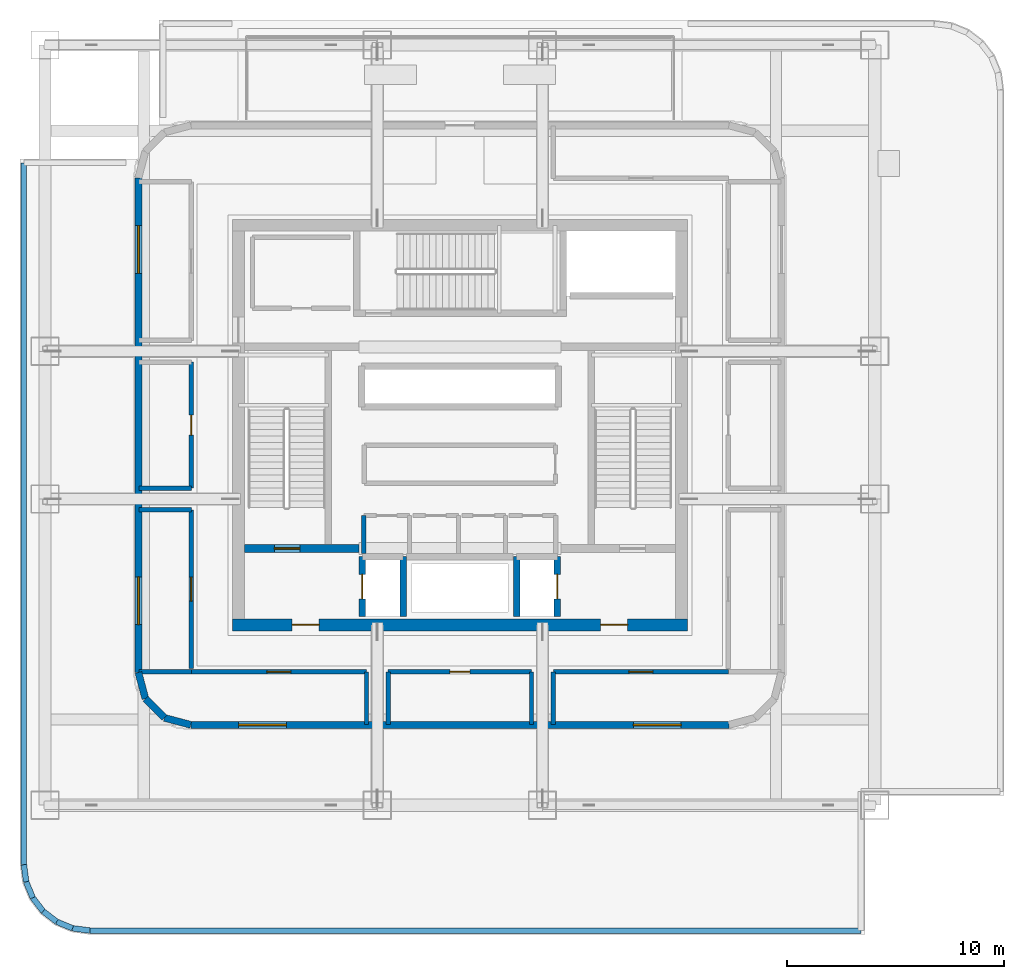
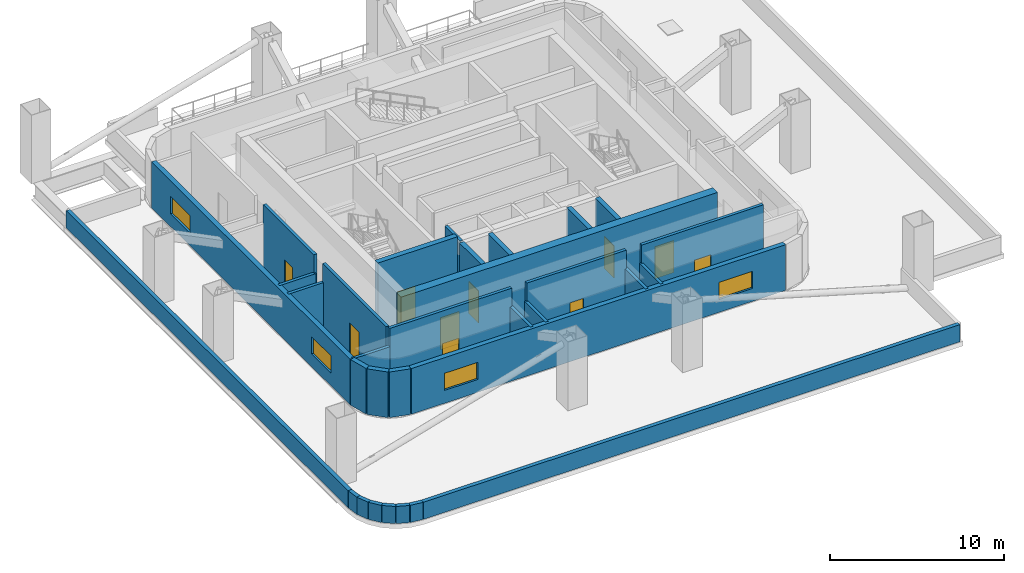
# One storey, part 5 of 11: 32 walls, 10 doors, 4 windows, 14 openings.
"""IFC4 building model written with IfcOpenShell, lengths in metres."""

from ifc_helpers import new_model, si_unit, direction, frame, frame_2d, origin, place, context, subcontext, project, spatial, rectangle, extrude, material, layer, layer_set, type_object, element, fill, save


model = new_model("IFC4")

# Units and contexts
model_context = context("Model", 3, precision=1e-05, world=origin(), true_north=direction((0.0, 1.0)))
body_context = subcontext(model_context, "Body", "Model", "MODEL_VIEW")
ifc_project = project(units=[si_unit("LENGTHUNIT", "METRE"), si_unit("AREAUNIT", "SQUARE_METRE"), si_unit("VOLUMEUNIT", "CUBIC_METRE"), si_unit("PLANEANGLEUNIT", "RADIAN"), si_unit("MASSUNIT", "GRAM", prefix="KILO")], contexts=[model_context])

# Site, building, storey
site_placement = place(None, origin())
site = spatial("IfcSite", under=ifc_project, at=site_placement, CompositionType="ELEMENT")
building_placement = place(site_placement, origin())
building = spatial("IfcBuilding", under=site, at=building_placement, Name="Punatoya Terracotta Tower", CompositionType="ELEMENT")
storey_placement = place(building_placement, frame((0.0, 0.0, 237.0)))
storey = spatial("IfcBuildingStorey", under=building, at=storey_placement, Name="L56", CompositionType="ELEMENT", Elevation=237.0)

# Wall, openings, doors
ifc_material_1 = material(Name="Concrete C50/60", Category="concrete")
ifc_layer_1 = layer(ifc_material_1, 0.550048828125)
ifc_layer_set_1 = layer_set([ifc_layer_1], Name="Concrete C50/60")
wall_type_1 = type_object("IfcWallType", Name="WL-COR-550", PredefinedType="SHEAR", material=ifc_layer_set_1)
wall_1_placement = place(storey_placement, frame((10.47509765625, -9.199951171875, 0.0), z_axis=(0.0, 0.0, 1.0), x_axis=(-1.0, 0.0, 0.0)))
wall_1 = element("IfcWall", 1, at=wall_1_placement, inside=storey, type_object=wall_type_1, Name="L56 Core Shear Wall S", PredefinedType="SHEAR", context=body_context, shape_type="SweptSolid", body=[
    extrude(rectangle(XDim=20.9501953125, YDim=0.550048828125, at=frame_2d((10.47509765625, 0.0))), origin(), (0.0, 0.0, 1.0), 4.800048828125),
])
opening_1_placement = place(wall_1_placement, frame((2.75, 0.0, 0.0)))
opening_1 = element("IfcOpeningElement", 2, at=opening_1_placement, cuts=wall_1, Name="Opening FD-L1", PredefinedType="OPENING", context=body_context, shape_type="SweptSolid", body=[
    extrude(rectangle(XDim=1.25, YDim=2.25, at=frame_2d((0.625, 1.125))), frame((0.0, 0.284912109375, 0.0), z_axis=(0.0, -1.0, 0.0), x_axis=(1.0, 0.0, 0.0)), (0.0, 0.0, 1.0), 0.570068359375),
])
opening_2_placement = place(wall_1_placement, frame((16.949951171875, 0.0, 0.0)))
opening_2 = element("IfcOpeningElement", 3, at=opening_2_placement, cuts=wall_1, Name="Opening FD-L1", PredefinedType="OPENING", context=body_context, shape_type="SweptSolid", body=[
    extrude(rectangle(XDim=1.25, YDim=2.25, at=frame_2d((0.625, 1.125))), frame((0.0, 0.284912109375, 0.0), z_axis=(0.0, -1.0, 0.0), x_axis=(1.0, 0.0, 0.0)), (0.0, 0.0, 1.0), 0.570068359375),
])
ifc_material_2 = material(Name="Galvanised Steel Smokeproof Fire Door", Category="steel")
door_type_1 = type_object("IfcDoorType", Name="DR-FFL-1250", OperationType="NOTDEFINED", PredefinedType="DOOR", material=ifc_material_2)
door_1_placement = place(opening_1_placement, origin())
door_1 = element("IfcDoor", 4, at=door_1_placement, inside=storey, type_object=door_type_1, Name="L56 East Firefighting Lobby Corridor Fire Door", OperationType="SINGLE_SWING_LEFT", OverallHeight=2.25, OverallWidth=1.25, PredefinedType="DOOR", context=body_context, shape_type="SweptSolid", body=[
    extrude(rectangle(XDim=1.25, YDim=2.25, at=frame_2d((0.625, 1.125))), frame((0.0, 0.02490234375, 0.0), z_axis=(0.0, -1.0, 0.0), x_axis=(1.0, 0.0, 0.0)), (0.0, 0.0, 1.0), 0.050048828125),
])
fill(opening_1, door_1)
door_2_placement = place(opening_2_placement, origin())
door_2 = element("IfcDoor", 5, at=door_2_placement, inside=storey, type_object=door_type_1, Name="L56 West Firefighting Lobby Corridor Fire Door", OperationType="SINGLE_SWING_RIGHT", OverallHeight=2.25, OverallWidth=1.25, PredefinedType="DOOR", context=body_context, shape_type="SweptSolid", body=[
    extrude(rectangle(XDim=1.25, YDim=2.25, at=frame_2d((0.625, 1.125))), frame((0.0, 0.02490234375, 0.0), z_axis=(0.0, -1.0, 0.0), x_axis=(1.0, 0.0, 0.0)), (0.0, 0.0, 1.0), 0.050048828125),
])
fill(opening_2, door_2)

# Wall, openings, windows
ifc_material_3 = material(Name="Precast concrete C40/50", Category="concrete")
ifc_layer_2 = layer(ifc_material_3, 0.320068359375)
ifc_layer_set_2 = layer_set([ifc_layer_2], Name="Precast concrete C40/50")
wall_type_2 = type_object("IfcWallType", Name="WL-EXT-320", PredefinedType="SOLIDWALL", material=ifc_layer_set_2)
wall_2_placement = place(storey_placement, frame((-12.386962890625, -13.800048828125, 0.0), z_axis=(0.0, 0.0, 1.0), x_axis=(1.0, 0.0, 0.0)))
wall_2 = element("IfcWall", 6, at=wall_2_placement, inside=storey, type_object=wall_type_2, Name="L56 Terracotta Louvre Plant Enclosure S", PredefinedType="SOLIDWALL", context=body_context, shape_type="SweptSolid", body=[
    extrude(rectangle(XDim=24.77392578125, YDim=0.320068359375, at=frame_2d((12.386962890625, 0.0))), origin(), (0.0, 0.0, 1.0), 3.194091796875),
])
opening_3_placement = place(wall_2_placement, frame((2.199951171875, 0.0, 0.89990234375)))
opening_3 = element("IfcOpeningElement", 7, at=opening_3_placement, cuts=wall_2, Name="Opening WN-09", PredefinedType="OPENING", context=body_context, shape_type="SweptSolid", body=[
    extrude(rectangle(XDim=2.199951171875, YDim=1.199951171875, at=frame_2d((1.10009765625, 0.60009765625))), frame((0.0, 0.169921875, 0.0), z_axis=(0.0, -1.0, 0.0), x_axis=(1.0, 0.0, 0.0)), (0.0, 0.0, 1.0), 0.340087890625),
])
opening_4_placement = place(wall_2_placement, frame((20.373779296875, 0.0, 0.89990234375)))
opening_4 = element("IfcOpeningElement", 8, at=opening_4_placement, cuts=wall_2, Name="Opening WN-09", PredefinedType="OPENING", context=body_context, shape_type="SweptSolid", body=[
    extrude(rectangle(XDim=2.199951171875, YDim=1.199951171875, at=frame_2d((1.10009765625, 0.60009765625))), frame((0.0, 0.169921875, 0.0), z_axis=(0.0, -1.0, 0.0), x_axis=(1.0, 0.0, 0.0)), (0.0, 0.0, 1.0), 0.340087890625),
])
ifc_material_4 = material(Name="Aluminium 6063-T6 + Double Low-E Glass", Category="aluminium")
window_type = type_object("IfcWindowType", Name="WIN-CLR-2200", PartitioningType="SINGLE_PANEL", PredefinedType="WINDOW", material=ifc_material_4)
window_1_placement = place(opening_3_placement, origin())
window_1 = element("IfcWindow", 9, at=window_1_placement, inside=storey, type_object=window_type, Name="L56 Refuge Daylight Window S1", OverallHeight=1.199951171875, OverallWidth=2.199951171875, PartitioningType="SINGLE_PANEL", PredefinedType="WINDOW", context=body_context, shape_type="SweptSolid", body=[
    extrude(rectangle(XDim=2.199951171875, YDim=1.199951171875, at=frame_2d((1.10009765625, 0.60009765625))), frame((0.0, 0.030029296875, 0.0), z_axis=(0.0, -1.0, 0.0), x_axis=(1.0, 0.0, 0.0)), (0.0, 0.0, 1.0), 0.06005859375),
])
fill(opening_3, window_1)
window_2_placement = place(opening_4_placement, origin())
window_2 = element("IfcWindow", 10, at=window_2_placement, inside=storey, type_object=window_type, Name="L56 Refuge Daylight Window S2", OverallHeight=1.199951171875, OverallWidth=2.199951171875, PartitioningType="SINGLE_PANEL", PredefinedType="WINDOW", context=body_context, shape_type="SweptSolid", body=[
    extrude(rectangle(XDim=2.199951171875, YDim=1.199951171875, at=frame_2d((1.10009765625, 0.60009765625))), frame((0.0, 0.030029296875, 0.0), z_axis=(0.0, -1.0, 0.0), x_axis=(1.0, 0.0, 0.0)), (0.0, 0.0, 1.0), 0.06005859375),
])
fill(opening_4, window_2)

wall_3_placement = place(storey_placement, frame((-14.800048828125, 11.386962890625, 0.0), z_axis=(0.0, 0.0, 1.0), x_axis=(0.0, -1.0, 0.0)))
wall_3 = element("IfcWall", 11, at=wall_3_placement, inside=storey, type_object=wall_type_2, Name="L56 Terracotta Louvre Plant Enclosure W", PredefinedType="SOLIDWALL", context=body_context, shape_type="SweptSolid", body=[
    extrude(rectangle(XDim=22.77392578125, YDim=0.320068359375, at=frame_2d((11.386962890625, 0.0))), origin(), (0.0, 0.0, 1.0), 3.194091796875),
])
opening_5_placement = place(wall_3_placement, frame((2.199951171875, 0.0, 0.89990234375)))
opening_5 = element("IfcOpeningElement", 12, at=opening_5_placement, cuts=wall_3, Name="Opening WN-09", PredefinedType="OPENING", context=body_context, shape_type="SweptSolid", body=[
    extrude(rectangle(XDim=2.199951171875, YDim=1.199951171875, at=frame_2d((1.10009765625, 0.60009765625))), frame((0.0, 0.169921875, 0.0), z_axis=(0.0, -1.0, 0.0), x_axis=(1.0, 0.0, 0.0)), (0.0, 0.0, 1.0), 0.340087890625),
])
opening_6_placement = place(wall_3_placement, frame((18.373779296875, 0.0, 0.89990234375)))
opening_6 = element("IfcOpeningElement", 13, at=opening_6_placement, cuts=wall_3, Name="Opening WN-09", PredefinedType="OPENING", context=body_context, shape_type="SweptSolid", body=[
    extrude(rectangle(XDim=2.199951171875, YDim=1.199951171875, at=frame_2d((1.10009765625, 0.60009765625))), frame((0.0, 0.169921875, 0.0), z_axis=(0.0, -1.0, 0.0), x_axis=(1.0, 0.0, 0.0)), (0.0, 0.0, 1.0), 0.340087890625),
])
window_3_placement = place(opening_5_placement, origin())
window_3 = element("IfcWindow", 14, at=window_3_placement, inside=storey, type_object=window_type, Name="L56 Refuge Daylight Window W1", OverallHeight=1.199951171875, OverallWidth=2.199951171875, PartitioningType="SINGLE_PANEL", PredefinedType="WINDOW", context=body_context, shape_type="SweptSolid", body=[
    extrude(rectangle(XDim=2.199951171875, YDim=1.199951171875, at=frame_2d((1.10009765625, 0.60009765625))), frame((0.0, 0.030029296875, 0.0), z_axis=(0.0, -1.0, 0.0), x_axis=(1.0, 0.0, 0.0)), (0.0, 0.0, 1.0), 0.06005859375),
])
fill(opening_5, window_3)
window_4_placement = place(opening_6_placement, origin())
window_4 = element("IfcWindow", 15, at=window_4_placement, inside=storey, type_object=window_type, Name="L56 Refuge Daylight Window W2", OverallHeight=1.199951171875, OverallWidth=2.199951171875, PartitioningType="SINGLE_PANEL", PredefinedType="WINDOW", context=body_context, shape_type="SweptSolid", body=[
    extrude(rectangle(XDim=2.199951171875, YDim=1.199951171875, at=frame_2d((1.10009765625, 0.60009765625))), frame((0.0, 0.030029296875, 0.0), z_axis=(0.0, -1.0, 0.0), x_axis=(1.0, 0.0, 0.0)), (0.0, 0.0, 1.0), 0.06005859375),
])
fill(opening_6, window_4)

# Walls
wall_4_placement = place(storey_placement, frame((-14.800048828125, -11.386962890625, 0.0), z_axis=(0.0, 0.0, 1.0), x_axis=(0.25748094776, -0.966283375382, 0.0)))
element("IfcWall", 16, at=wall_4_placement, inside=storey, type_object=wall_type_2, Name="L56 Rounded Terracotta Corner Pier 14", PredefinedType="SOLIDWALL", context=body_context, shape_type="SweptSolid", body=[
    extrude(rectangle(XDim=1.25439453125, YDim=0.320068359375, at=frame_2d((0.627197265625, 0.0))), origin(), (0.0, 0.0, 1.0), 3.194091796875),
])
wall_5_placement = place(storey_placement, frame((-14.47705078125, -12.59912109375, 0.0), z_axis=(0.0, 0.0, 1.0), x_axis=(0.707106781187, -0.707106781187, 0.0)))
element("IfcWall", 17, at=wall_5_placement, inside=storey, type_object=wall_type_2, Name="L56 Rounded Terracotta Corner Pier 15", PredefinedType="SOLIDWALL", context=body_context, shape_type="SweptSolid", body=[
    extrude(rectangle(XDim=1.24169921875, YDim=0.320068359375, at=frame_2d((0.620849609375, 0.0))), origin(), (0.0, 0.0, 1.0), 3.194091796875),
])
wall_6_placement = place(storey_placement, frame((-13.59912109375, -13.47705078125, 0.0), z_axis=(0.0, 0.0, 1.0), x_axis=(0.966283375382, -0.25748094776, 0.0)))
element("IfcWall", 18, at=wall_6_placement, inside=storey, type_object=wall_type_2, Name="L56 Rounded Terracotta Corner Pier 16", PredefinedType="SOLIDWALL", context=body_context, shape_type="SweptSolid", body=[
    extrude(rectangle(XDim=1.25439453125, YDim=0.320068359375, at=frame_2d((0.627197265625, 0.0))), origin(), (0.0, 0.0, 1.0), 3.194091796875),
])
ifc_material_5 = material(Name="Concrete C40/50", Category="concrete")
ifc_layer_3 = layer(ifc_material_5, 0.199951171875)
ifc_layer_set_3 = layer_set([ifc_layer_3], Name="Concrete C40/50")
wall_type_3 = type_object("IfcWallType", Name="WL-INT-200", PredefinedType="SOLIDWALL", material=ifc_layer_set_3)
wall_7_placement = place(storey_placement, frame((-4.419921875, -4.159912109375, 0.0), z_axis=(0.0, 0.0, 1.0), x_axis=(0.0, -1.0, 0.0)))
element("IfcWall", 19, at=wall_7_placement, inside=storey, type_object=wall_type_3, Name="L56 Staff Male Washroom Partition 03", PredefinedType="SOLIDWALL", context=body_context, shape_type="SweptSolid", body=[
    extrude(rectangle(XDim=1.739990234375, YDim=0.199951171875, at=frame_2d((0.8701171875, 0.0))), origin(), (0.0, 0.0, 1.0), 4.47998046875),
])
wall_8_placement = place(storey_placement, frame((-14.780029296875, -11.35009765625, 0.0), z_axis=(0.0, 0.0, 1.0), x_axis=(1.0, 0.0, 0.0)))
element("IfcWall", 20, at=wall_8_placement, inside=storey, type_object=wall_type_3, Name="L56 Designated Pressurized Refuge Area South (West Bay) Partition 17", PredefinedType="SOLIDWALL", context=body_context, shape_type="SweptSolid", body=[
    extrude(rectangle(XDim=2.419921875, YDim=0.199951171875, at=frame_2d((1.2099609375, 0.0))), origin(), (0.0, 0.0, 1.0), 3.194091796875),
])

# Wall, opening, door
wall_9_placement = place(storey_placement, frame((-12.360107421875, -11.360107421875, 0.0), z_axis=(0.0, 0.0, 1.0), x_axis=(1.0, 0.0, 0.0)))
wall_9 = element("IfcWall", 21, at=wall_9_placement, inside=storey, type_object=wall_type_3, Name="L56 Designated Pressurized Refuge Area South (West Bay) Partition 18", PredefinedType="SOLIDWALL", context=body_context, shape_type="SweptSolid", body=[
    extrude(rectangle(XDim=8.06005859375, YDim=0.199951171875, at=frame_2d((4.030029296875, 0.0))), origin(), (0.0, 0.0, 1.0), 4.47998046875),
])
opening_7_placement = place(wall_9_placement, frame((3.47998046875, 0.0, 0.0)))
opening_7 = element("IfcOpeningElement", 22, at=opening_7_placement, cuts=wall_9, Name="Opening FD-P1", PredefinedType="OPENING", context=body_context, shape_type="SweptSolid", body=[
    extrude(rectangle(XDim=1.10009765625, YDim=2.199951171875, at=frame_2d((0.550048828125, 1.10009765625))), frame((0.0, 0.10986328125, 0.0), z_axis=(0.0, -1.0, 0.0), x_axis=(1.0, 0.0, 0.0)), (0.0, 0.0, 1.0), 0.219970703125),
])
ifc_material_6 = material(Name="Galvanised Steel Plant Fire Door", Category="steel")
door_type_2 = type_object("IfcDoorType", Name="DR-PLT-1100", OperationType="NOTDEFINED", PredefinedType="DOOR", material=ifc_material_6)
door_3_placement = place(opening_7_placement, origin())
door_3 = element("IfcDoor", 23, at=door_3_placement, inside=storey, type_object=door_type_2, Name="L56 Designated Pressurized Refuge Area South (West Bay) Fire Door", OperationType="SINGLE_SWING_LEFT", OverallHeight=2.199951171875, OverallWidth=1.10009765625, PredefinedType="DOOR", context=body_context, shape_type="SweptSolid", body=[
    extrude(rectangle(XDim=1.10009765625, YDim=2.199951171875, at=frame_2d((0.550048828125, 1.10009765625))), frame((0.0, 0.02490234375, 0.0), z_axis=(0.0, -1.0, 0.0), x_axis=(1.0, 0.0, 0.0)), (0.0, 0.0, 1.0), 0.050048828125),
])
fill(opening_7, door_3)

# Walls
for number, where, z_axis, x_axis, name in (
    (24, (-4.300048828125, -11.360107421875, 0.0), (0.0, 0.0, 1.0), (0.0, -1.0, 0.0), "L56 Designated Pressurized Refuge Area South (West Bay) Partition 19"),
    (25, (-3.300048828125, -13.780029296875, 0.0), (0.0, 0.0, 1.0), (0.0, 1.0, 0.0), "L56 Designated Pressurized Refuge Area South (Central Bay) Partition 20"),
):
    element("IfcWall", number, at=place(storey_placement, frame(where, z_axis=z_axis, x_axis=x_axis)), inside=storey, type_object=wall_type_3, Name=name, PredefinedType="SOLIDWALL", context=body_context, shape_type="SweptSolid", body=[
        extrude(rectangle(XDim=2.419921875, YDim=0.199951171875, at=frame_2d((1.2099609375, 0.0))), origin(), (0.0, 0.0, 1.0), 3.194091796875),
    ])

# Wall, opening, door
wall_10_placement = place(storey_placement, frame((-3.300048828125, -11.360107421875, 0.0), z_axis=(0.0, 0.0, 1.0), x_axis=(1.0, 0.0, 0.0)))
wall_10 = element("IfcWall", 26, at=wall_10_placement, inside=storey, type_object=wall_type_3, Name="L56 Designated Pressurized Refuge Area South (Central Bay) Partition 21", PredefinedType="SOLIDWALL", context=body_context, shape_type="SweptSolid", body=[
    extrude(rectangle(XDim=6.60009765625, YDim=0.199951171875, at=frame_2d((3.300048828125, 0.0))), origin(), (0.0, 0.0, 1.0), 4.47998046875),
])
opening_8_placement = place(wall_10_placement, frame((2.840087890625, 0.0, 0.0)))
opening_8 = element("IfcOpeningElement", 27, at=opening_8_placement, cuts=wall_10, Name="Opening FD-R1", PredefinedType="OPENING", context=body_context, shape_type="SweptSolid", body=[
    extrude(rectangle(XDim=0.919921875, YDim=2.10009765625, at=frame_2d((0.4599609375, 1.050048828125))), frame((0.0, 0.10986328125, 0.0), z_axis=(0.0, -1.0, 0.0), x_axis=(1.0, 0.0, 0.0)), (0.0, 0.0, 1.0), 0.219970703125),
])
ifc_material_7 = material(Name="Galvanised Steel Riser Fire Access Door", Category="steel")
door_type_3 = type_object("IfcDoorType", Name="DR-RSR-920", OperationType="NOTDEFINED", PredefinedType="DOOR", material=ifc_material_7)
door_4_placement = place(opening_8_placement, origin())
door_4 = element("IfcDoor", 28, at=door_4_placement, inside=storey, type_object=door_type_3, Name="L56 Designated Pressurized Refuge Area South (Central Bay) Fire Door", OperationType="SINGLE_SWING_RIGHT", OverallHeight=2.10009765625, OverallWidth=0.919921875, PredefinedType="DOOR", context=body_context, shape_type="SweptSolid", body=[
    extrude(rectangle(XDim=0.919921875, YDim=2.10009765625, at=frame_2d((0.4599609375, 1.050048828125))), frame((0.0, 0.02490234375, 0.0), z_axis=(0.0, -1.0, 0.0), x_axis=(1.0, 0.0, 0.0)), (0.0, 0.0, 1.0), 0.050048828125),
])
fill(opening_8, door_4)

# Walls
for number, where, z_axis, x_axis, name in (
    (29, (3.300048828125, -11.360107421875, 0.0), (0.0, 0.0, 1.0), (0.0, -1.0, 0.0), "L56 Designated Pressurized Refuge Area South (Central Bay) Partition 22"),
    (30, (4.300048828125, -13.780029296875, 0.0), (0.0, 0.0, 1.0), (0.0, 1.0, 0.0), "L56 Designated Pressurized Refuge Area South (East Bay) Partition 24"),
):
    element("IfcWall", number, at=place(storey_placement, frame(where, z_axis=z_axis, x_axis=x_axis)), inside=storey, type_object=wall_type_3, Name=name, PredefinedType="SOLIDWALL", context=body_context, shape_type="SweptSolid", body=[
        extrude(rectangle(XDim=2.419921875, YDim=0.199951171875, at=frame_2d((1.2099609375, 0.0))), origin(), (0.0, 0.0, 1.0), 3.194091796875),
    ])

# Wall, opening, door
wall_11_placement = place(storey_placement, frame((4.300048828125, -11.360107421875, 0.0), z_axis=(0.0, 0.0, 1.0), x_axis=(1.0, 0.0, 0.0)))
wall_11 = element("IfcWall", 31, at=wall_11_placement, inside=storey, type_object=wall_type_3, Name="L56 Designated Pressurized Refuge Area South (East Bay) Partition 25", PredefinedType="SOLIDWALL", context=body_context, shape_type="SweptSolid", body=[
    extrude(rectangle(XDim=8.06005859375, YDim=0.199951171875, at=frame_2d((4.030029296875, 0.0))), origin(), (0.0, 0.0, 1.0), 4.47998046875),
])
opening_9_placement = place(wall_11_placement, frame((3.47998046875, 0.0, 0.0)))
opening_9 = element("IfcOpeningElement", 32, at=opening_9_placement, cuts=wall_11, Name="Opening FD-P1", PredefinedType="OPENING", context=body_context, shape_type="SweptSolid", body=[
    extrude(rectangle(XDim=1.10009765625, YDim=2.199951171875, at=frame_2d((0.550048828125, 1.10009765625))), frame((0.0, 0.10986328125, 0.0), z_axis=(0.0, -1.0, 0.0), x_axis=(1.0, 0.0, 0.0)), (0.0, 0.0, 1.0), 0.219970703125),
])
door_5_placement = place(opening_9_placement, origin())
door_5 = element("IfcDoor", 33, at=door_5_placement, inside=storey, type_object=door_type_2, Name="L56 Designated Pressurized Refuge Area South (East Bay) Fire Door", OperationType="SINGLE_SWING_LEFT", OverallHeight=2.199951171875, OverallWidth=1.10009765625, PredefinedType="DOOR", context=body_context, shape_type="SweptSolid", body=[
    extrude(rectangle(XDim=1.10009765625, YDim=2.199951171875, at=frame_2d((0.550048828125, 1.10009765625))), frame((0.0, 0.02490234375, 0.0), z_axis=(0.0, -1.0, 0.0), x_axis=(1.0, 0.0, 0.0)), (0.0, 0.0, 1.0), 0.050048828125),
])
fill(opening_9, door_5)

# Wall
wall_12_placement = place(storey_placement, frame((-14.780029296875, -3.89990234375, 0.0), z_axis=(0.0, 0.0, 1.0), x_axis=(1.0, 0.0, 0.0)))
element("IfcWall", 34, at=wall_12_placement, inside=storey, type_object=wall_type_3, Name="L56 West Outrigger Truss & Smoke-Extract Plant Room (South Bay) Partition 26", PredefinedType="SOLIDWALL", context=body_context, shape_type="SweptSolid", body=[
    extrude(rectangle(XDim=2.419921875, YDim=0.199951171875, at=frame_2d((1.2099609375, 0.0))), origin(), (0.0, 0.0, 1.0), 3.194091796875),
])

# Wall, opening, door
wall_13_placement = place(storey_placement, frame((-12.360107421875, -3.89990234375, 0.0), z_axis=(0.0, 0.0, 1.0), x_axis=(0.0, -1.0, 0.0)))
wall_13 = element("IfcWall", 35, at=wall_13_placement, inside=storey, type_object=wall_type_3, Name="L56 West Outrigger Truss & Smoke-Extract Plant Room (South Bay) Partition 27", PredefinedType="SOLIDWALL", context=body_context, shape_type="SweptSolid", body=[
    extrude(rectangle(XDim=7.300048828125, YDim=0.199951171875, at=frame_2d((3.64990234375, 0.0))), origin(), (0.0, 0.0, 1.0), 4.47998046875),
])
opening_10_placement = place(wall_13_placement, frame((3.10009765625, 0.0, 0.0)))
opening_10 = element("IfcOpeningElement", 36, at=opening_10_placement, cuts=wall_13, Name="Opening FD-P1", PredefinedType="OPENING", context=body_context, shape_type="SweptSolid", body=[
    extrude(rectangle(XDim=1.10009765625, YDim=2.199951171875, at=frame_2d((0.550048828125, 1.10009765625))), frame((0.0, 0.10986328125, 0.0), z_axis=(0.0, -1.0, 0.0), x_axis=(1.0, 0.0, 0.0)), (0.0, 0.0, 1.0), 0.219970703125),
])
door_6_placement = place(opening_10_placement, origin())
door_6 = element("IfcDoor", 37, at=door_6_placement, inside=storey, type_object=door_type_2, Name="L56 West Outrigger Truss & Smoke-Extract Plant Room (South Bay) Fire Door", OperationType="SINGLE_SWING_RIGHT", OverallHeight=2.199951171875, OverallWidth=1.10009765625, PredefinedType="DOOR", context=body_context, shape_type="SweptSolid", body=[
    extrude(rectangle(XDim=1.10009765625, YDim=2.199951171875, at=frame_2d((0.550048828125, 1.10009765625))), frame((0.0, 0.02490234375, 0.0), z_axis=(0.0, -1.0, 0.0), x_axis=(1.0, 0.0, 0.0)), (0.0, 0.0, 1.0), 0.050048828125),
])
fill(opening_10, door_6)

wall_14_placement = place(storey_placement, frame((-12.360107421875, 2.89990234375, 0.0), z_axis=(0.0, 0.0, 1.0), x_axis=(0.0, -1.0, 0.0)))
wall_14 = element("IfcWall", 38, at=wall_14_placement, inside=storey, type_object=wall_type_3, Name="L56 West Outrigger Truss & Smoke-Extract Plant Room (Central Bay) Partition 28", PredefinedType="SOLIDWALL", context=body_context, shape_type="SweptSolid", body=[
    extrude(rectangle(XDim=5.7998046875, YDim=0.199951171875, at=frame_2d((2.89990234375, 0.0))), origin(), (0.0, 0.0, 1.0), 4.47998046875),
])
opening_11_placement = place(wall_14_placement, frame((2.43994140625, 0.0, 0.0)))
opening_11 = element("IfcOpeningElement", 39, at=opening_11_placement, cuts=wall_14, Name="Opening FD-R1", PredefinedType="OPENING", context=body_context, shape_type="SweptSolid", body=[
    extrude(rectangle(XDim=0.919921875, YDim=2.10009765625, at=frame_2d((0.4599609375, 1.050048828125))), frame((0.0, 0.10986328125, 0.0), z_axis=(0.0, -1.0, 0.0), x_axis=(1.0, 0.0, 0.0)), (0.0, 0.0, 1.0), 0.219970703125),
])
door_7_placement = place(opening_11_placement, origin())
door_7 = element("IfcDoor", 40, at=door_7_placement, inside=storey, type_object=door_type_3, Name="L56 West Outrigger Truss & Smoke-Extract Plant Room (Central Bay) Fire Door", OperationType="SINGLE_SWING_LEFT", OverallHeight=2.10009765625, OverallWidth=0.919921875, PredefinedType="DOOR", context=body_context, shape_type="SweptSolid", body=[
    extrude(rectangle(XDim=0.919921875, YDim=2.10009765625, at=frame_2d((0.4599609375, 1.050048828125))), frame((0.0, 0.02490234375, 0.0), z_axis=(0.0, -1.0, 0.0), x_axis=(1.0, 0.0, 0.0)), (0.0, 0.0, 1.0), 0.050048828125),
])
fill(opening_11, door_7)

# Walls
wall_15_placement = place(storey_placement, frame((-12.360107421875, -2.89990234375, 0.0), z_axis=(0.0, 0.0, 1.0), x_axis=(-1.0, 0.0, 0.0)))
element("IfcWall", 41, at=wall_15_placement, inside=storey, type_object=wall_type_3, Name="L56 West Outrigger Truss & Smoke-Extract Plant Room (Central Bay) Partition 29", PredefinedType="SOLIDWALL", context=body_context, shape_type="SweptSolid", body=[
    extrude(rectangle(XDim=2.419921875, YDim=0.199951171875, at=frame_2d((1.2099609375, 0.0))), origin(), (0.0, 0.0, 1.0), 3.194091796875),
])
ifc_layer_4 = layer(ifc_material_3, 0.260009765625)
ifc_layer_set_4 = layer_set([ifc_layer_4], Name="Precast concrete C40/50")
wall_type_4 = type_object("IfcWallType", Name="WL-PAR-260", PredefinedType="PARAPET", material=ifc_layer_set_4)
wall_16_placement = place(storey_placement, frame((-20.070068359375, 12.070068359375, 0.0), z_axis=(0.0, 0.0, 1.0), x_axis=(0.0, -1.0, 0.0)))
element("IfcWall", 42, at=wall_16_placement, inside=storey, type_object=wall_type_4, Name="L56 Roof Parapet Wall PAR-L56-RF-14", PredefinedType="PARAPET", context=body_context, shape_type="SweptSolid", body=[
    extrude(rectangle(XDim=32.308349609375, YDim=0.260009765625, at=frame_2d((16.154296875, 0.0))), origin(), (0.0, 0.0, 1.0), 1.199951171875),
])
wall_17_placement = place(storey_placement, frame((-20.070068359375, -20.23828125, 0.0), z_axis=(0.0, 0.0, 1.0), x_axis=(0.130644014367, -0.991429342672, 0.0)))
element("IfcWall", 43, at=wall_17_placement, inside=storey, type_object=wall_type_4, Name="L56 Roof Parapet Wall PAR-L56-RF-15", PredefinedType="PARAPET", context=body_context, shape_type="SweptSolid", body=[
    extrude(rectangle(XDim=0.7998046875, YDim=0.260009765625, at=frame_2d((0.39990234375, 0.0))), origin(), (0.0, 0.0, 1.0), 1.199951171875),
])
wall_18_placement = place(storey_placement, frame((-19.965576171875, -21.03125, 0.0), z_axis=(0.0, 0.0, 1.0), x_axis=(0.38263454961, -0.923899778896, 0.0)))
element("IfcWall", 44, at=wall_18_placement, inside=storey, type_object=wall_type_4, Name="L56 Roof Parapet Wall PAR-L56-RF-16", PredefinedType="PARAPET", context=body_context, shape_type="SweptSolid", body=[
    extrude(rectangle(XDim=0.7880859375, YDim=0.260009765625, at=frame_2d((0.39404296875, 0.0))), origin(), (0.0, 0.0, 1.0), 1.199951171875),
])
wall_19_placement = place(storey_placement, frame((-19.6640625, -21.75927734375, 0.0), z_axis=(0.0, 0.0, 1.0), x_axis=(0.608886809997, -0.793257116332, 0.0)))
element("IfcWall", 45, at=wall_19_placement, inside=storey, type_object=wall_type_4, Name="L56 Roof Parapet Wall PAR-L56-RF-17", PredefinedType="PARAPET", context=body_context, shape_type="SweptSolid", body=[
    extrude(rectangle(XDim=0.787841796875, YDim=0.260009765625, at=frame_2d((0.39404296875, 0.0))), origin(), (0.0, 0.0, 1.0), 1.199951171875),
])
wall_20_placement = place(storey_placement, frame((-19.184326171875, -22.38427734375, 0.0), z_axis=(0.0, 0.0, 1.0), x_axis=(0.793371954706, -0.608737169464, 0.0)))
element("IfcWall", 46, at=wall_20_placement, inside=storey, type_object=wall_type_4, Name="L56 Roof Parapet Wall PAR-L56-RF-18", PredefinedType="PARAPET", context=body_context, shape_type="SweptSolid", body=[
    extrude(rectangle(XDim=0.7880859375, YDim=0.260009765625, at=frame_2d((0.39404296875, 0.0))), origin(), (0.0, 0.0, 1.0), 1.199951171875),
])
wall_21_placement = place(storey_placement, frame((-18.55908203125, -22.864013671875, 0.0), z_axis=(0.0, 0.0, 1.0), x_axis=(0.923854398102, -0.38274410656, 0.0)))
element("IfcWall", 47, at=wall_21_placement, inside=storey, type_object=wall_type_4, Name="L56 Roof Parapet Wall PAR-L56-RF-19", PredefinedType="PARAPET", context=body_context, shape_type="SweptSolid", body=[
    extrude(rectangle(XDim=0.787841796875, YDim=0.260009765625, at=frame_2d((0.39404296875, 0.0))), origin(), (0.0, 0.0, 1.0), 1.199951171875),
])
wall_22_placement = place(storey_placement, frame((-17.831298828125, -23.16552734375, 0.0), z_axis=(0.0, 0.0, 1.0), x_axis=(0.991434550152, -0.130604489832, 0.0)))
element("IfcWall", 48, at=wall_22_placement, inside=storey, type_object=wall_type_4, Name="L56 Roof Parapet Wall PAR-L56-RF-20", PredefinedType="PARAPET", context=body_context, shape_type="SweptSolid", body=[
    extrude(rectangle(XDim=0.800048828125, YDim=0.260009765625, at=frame_2d((0.39990234375, 0.0))), origin(), (0.0, 0.0, 1.0), 1.199951171875),
])
wall_23_placement = place(storey_placement, frame((-17.0380859375, -23.27001953125, 0.0), z_axis=(0.0, 0.0, 1.0), x_axis=(1.0, 0.0, 0.0)))
element("IfcWall", 49, at=wall_23_placement, inside=storey, type_object=wall_type_4, Name="L56 Roof Parapet Wall PAR-L56-RF-21", PredefinedType="PARAPET", context=body_context, shape_type="SweptSolid", body=[
    extrude(rectangle(XDim=35.508056640625, YDim=0.260009765625, at=frame_2d((17.75390625, 0.0))), origin(), (0.0, 0.0, 1.0), 1.199951171875),
])

# Wall, opening, door
ifc_layer_5 = layer(ifc_material_5, 0.300048828125)
ifc_layer_set_5 = layer_set([ifc_layer_5], Name="Concrete C40/50")
wall_type_5 = type_object("IfcWallType", Name="WL-SHF-300", PredefinedType="SOLIDWALL", material=ifc_layer_set_5)
wall_24_placement = place(storey_placement, frame((-4.489990234375, -8.820068359375, 0.0), z_axis=(0.0, 0.0, 1.0), x_axis=(0.0, 1.0, 0.0)))
wall_24 = element("IfcWall", 50, at=wall_24_placement, inside=storey, type_object=wall_type_5, Name="L56 FFL-1 Front Hoistway Wall", PredefinedType="SOLIDWALL", context=body_context, shape_type="SweptSolid", body=[
    extrude(rectangle(XDim=2.77001953125, YDim=0.300048828125, at=frame_2d((1.385009765625, 0.0))), origin(), (0.0, 0.0, 1.0), 4.47998046875),
])
opening_12_placement = place(wall_24_placement, frame((0.824951171875, 0.0, 0.0)))
opening_12 = element("IfcOpeningElement", 51, at=opening_12_placement, cuts=wall_24, Name="Opening LD-02", PredefinedType="OPENING", context=body_context, shape_type="SweptSolid", body=[
    extrude(rectangle(XDim=1.1201171875, YDim=2.25, at=frame_2d((0.56005859375, 1.125))), frame((0.0, 0.159912109375, 0.0), z_axis=(0.0, -1.0, 0.0), x_axis=(1.0, 0.0, 0.0)), (0.0, 0.0, 1.0), 0.320068359375),
])
ifc_material_8 = material(Name="Stainless Steel Lift Landing Door", Category="steel")
door_type_4 = type_object("IfcDoorType", Name="DR-LND-1120", OperationType="NOTDEFINED", PredefinedType="DOOR", material=ifc_material_8)
door_8_placement = place(opening_12_placement, origin())
door_8 = element("IfcDoor", 52, at=door_8_placement, inside=storey, type_object=door_type_4, Name="L56 Firefighting Lift FFL-1 Sliding Landing Door", OperationType="SLIDING_TO_LEFT", OverallHeight=2.25, OverallWidth=1.1201171875, PredefinedType="DOOR", context=body_context, shape_type="SweptSolid", body=[
    extrude(rectangle(XDim=1.1201171875, YDim=2.25, at=frame_2d((0.56005859375, 1.125))), frame((0.0, 0.02490234375, 0.0), z_axis=(0.0, -1.0, 0.0), x_axis=(1.0, 0.0, 0.0)), (0.0, 0.0, 1.0), 0.050048828125),
])
fill(opening_12, door_8)

# Wall
wall_25_placement = place(storey_placement, frame((-2.610107421875, -8.820068359375, 0.0), z_axis=(0.0, 0.0, 1.0), x_axis=(0.0, 1.0, 0.0)))
element("IfcWall", 53, at=wall_25_placement, inside=storey, type_object=wall_type_5, Name="L56 FFL-1 Rear Hoistway Wall", PredefinedType="SOLIDWALL", context=body_context, shape_type="SweptSolid", body=[
    extrude(rectangle(XDim=2.77001953125, YDim=0.300048828125, at=frame_2d((1.385009765625, 0.0))), origin(), (0.0, 0.0, 1.0), 4.47998046875),
])

# Wall, opening, door
wall_26_placement = place(storey_placement, frame((4.489990234375, -8.820068359375, 0.0), z_axis=(0.0, 0.0, 1.0), x_axis=(0.0, 1.0, 0.0)))
wall_26 = element("IfcWall", 54, at=wall_26_placement, inside=storey, type_object=wall_type_5, Name="L56 FFL-2 Front Hoistway Wall", PredefinedType="SOLIDWALL", context=body_context, shape_type="SweptSolid", body=[
    extrude(rectangle(XDim=2.77001953125, YDim=0.300048828125, at=frame_2d((1.385009765625, 0.0))), origin(), (0.0, 0.0, 1.0), 4.47998046875),
])
opening_13_placement = place(wall_26_placement, frame((0.824951171875, 0.0, 0.0)))
opening_13 = element("IfcOpeningElement", 55, at=opening_13_placement, cuts=wall_26, Name="Opening LD-02", PredefinedType="OPENING", context=body_context, shape_type="SweptSolid", body=[
    extrude(rectangle(XDim=1.1201171875, YDim=2.25, at=frame_2d((0.56005859375, 1.125))), frame((0.0, 0.159912109375, 0.0), z_axis=(0.0, -1.0, 0.0), x_axis=(1.0, 0.0, 0.0)), (0.0, 0.0, 1.0), 0.320068359375),
])
door_9_placement = place(opening_13_placement, origin())
door_9 = element("IfcDoor", 56, at=door_9_placement, inside=storey, type_object=door_type_4, Name="L56 Firefighting Lift FFL-2 Sliding Landing Door", OperationType="SLIDING_TO_RIGHT", OverallHeight=2.25, OverallWidth=1.1201171875, PredefinedType="DOOR", context=body_context, shape_type="SweptSolid", body=[
    extrude(rectangle(XDim=1.1201171875, YDim=2.25, at=frame_2d((0.56005859375, 1.125))), frame((0.0, 0.02490234375, 0.0), z_axis=(0.0, -1.0, 0.0), x_axis=(1.0, 0.0, 0.0)), (0.0, 0.0, 1.0), 0.050048828125),
])
fill(opening_13, door_9)

# Wall
wall_27_placement = place(storey_placement, frame((2.610107421875, -8.820068359375, 0.0), z_axis=(0.0, 0.0, 1.0), x_axis=(0.0, 1.0, 0.0)))
element("IfcWall", 57, at=wall_27_placement, inside=storey, type_object=wall_type_5, Name="L56 FFL-2 Rear Hoistway Wall", PredefinedType="SOLIDWALL", context=body_context, shape_type="SweptSolid", body=[
    extrude(rectangle(XDim=2.77001953125, YDim=0.300048828125, at=frame_2d((1.385009765625, 0.0))), origin(), (0.0, 0.0, 1.0), 4.47998046875),
])

# Wall, opening, door
ifc_layer_6 = layer(ifc_material_1, 0.35009765625)
ifc_layer_set_6 = layer_set([ifc_layer_6], Name="Concrete C50/60")
wall_type_6 = type_object("IfcWallType", Name="WL-SHF-350", PredefinedType="SOLIDWALL", material=ifc_layer_set_6)
wall_28_placement = place(storey_placement, frame((-9.925048828125, -5.679931640625, 0.0), z_axis=(0.0, 0.0, 1.0), x_axis=(1.0, 0.0, 0.0)))
wall_28 = element("IfcWall", 58, at=wall_28_placement, inside=storey, type_object=wall_type_6, Name="L56 Core Web Wall CSW-L", PredefinedType="SOLIDWALL", context=body_context, shape_type="SweptSolid", body=[
    extrude(rectangle(XDim=5.275146484375, YDim=0.35009765625, at=frame_2d((2.6376953125, 0.0))), origin(), (0.0, 0.0, 1.0), 4.800048828125),
])
opening_14_placement = place(wall_28_placement, frame((1.385009765625, 0.0, 0.0)))
opening_14 = element("IfcOpeningElement", 59, at=opening_14_placement, cuts=wall_28, Name="Opening SD-01", PredefinedType="OPENING", context=body_context, shape_type="SweptSolid", body=[
    extrude(rectangle(XDim=1.179931640625, YDim=2.199951171875, at=frame_2d((0.58984375, 1.10009765625))), frame((0.0, 0.18505859375, 0.0), z_axis=(0.0, -1.0, 0.0), x_axis=(1.0, 0.0, 0.0)), (0.0, 0.0, 1.0), 0.3701171875),
])
ifc_material_9 = material(Name="Galvanised Steel Pressurized Stair Fire Door", Category="steel")
door_type_5 = type_object("IfcDoorType", Name="DR-STR-1180", OperationType="NOTDEFINED", PredefinedType="DOOR", material=ifc_material_9)
door_10_placement = place(opening_14_placement, origin())
door_10 = element("IfcDoor", 60, at=door_10_placement, inside=storey, type_object=door_type_5, Name="L56 Stair ST-1 Smokeproof Lobby Fire Door", OperationType="SINGLE_SWING_LEFT", OverallHeight=2.199951171875, OverallWidth=1.179931640625, PredefinedType="DOOR", context=body_context, shape_type="SweptSolid", body=[
    extrude(rectangle(XDim=1.179931640625, YDim=2.199951171875, at=frame_2d((0.58984375, 1.10009765625))), frame((0.0, 0.02490234375, 0.0), z_axis=(0.0, -1.0, 0.0), x_axis=(1.0, 0.0, 0.0)), (0.0, 0.0, 1.0), 0.050048828125),
])
fill(opening_14, door_10)

save(model, "model.ifc")
